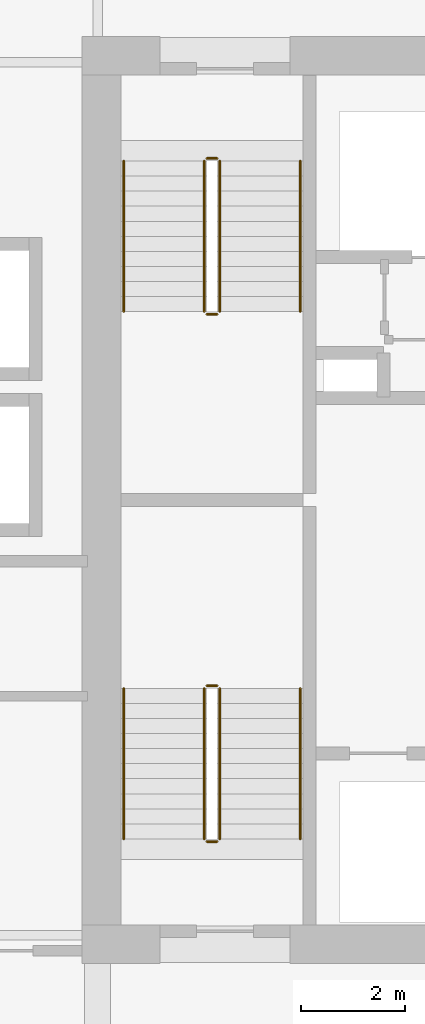
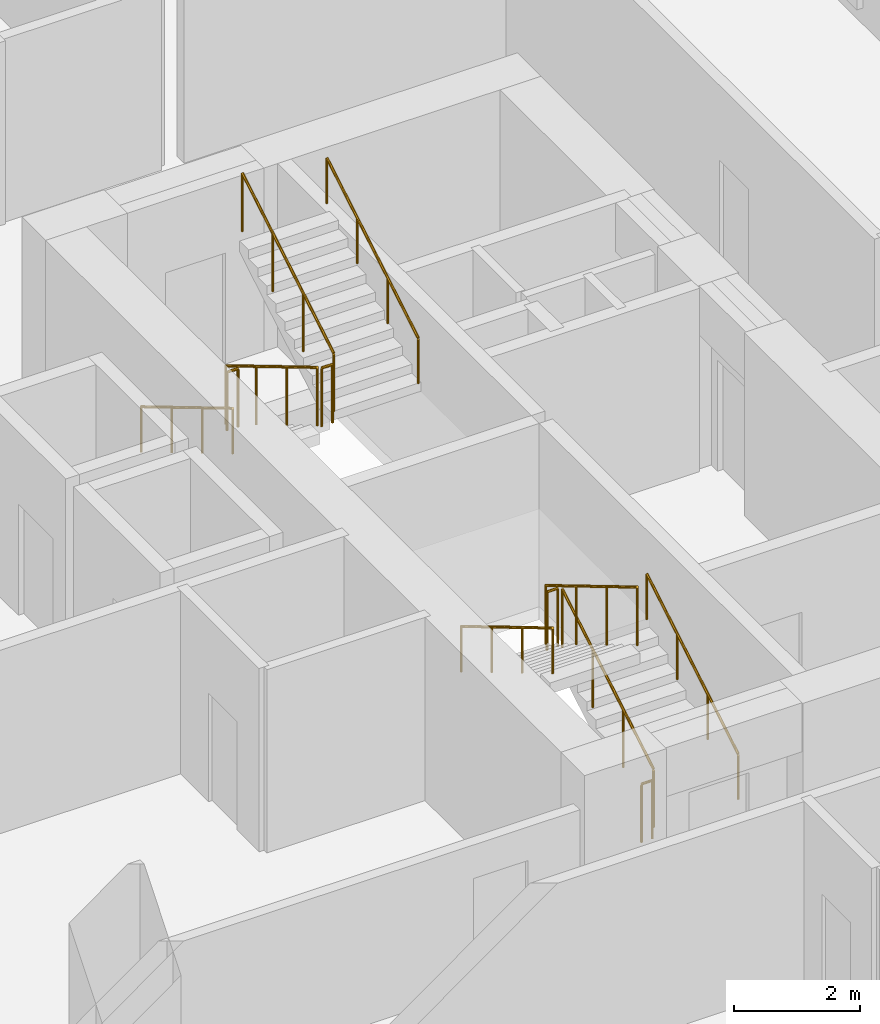
# One storey, part 22 of 23: 12 railings.
"""IFC4 building model written with IfcOpenShell, lengths in metres."""

from ifc_helpers import new_model, si_unit, direction, frame, origin, origin_2d, place, context, subcontext, project, spatial, circle, extrude, material, type_object, element, save


model = new_model("IFC4")

# Units and contexts
model_context = context("Model", 3, precision=1e-05, world=origin(), true_north=direction((0.0, 1.0)))
body_context = subcontext(model_context, "Body", "Model", "MODEL_VIEW")
ifc_project = project(units=[si_unit("LENGTHUNIT", "METRE"), si_unit("AREAUNIT", "SQUARE_METRE"), si_unit("VOLUMEUNIT", "CUBIC_METRE"), si_unit("PLANEANGLEUNIT", "RADIAN"), si_unit("MASSUNIT", "GRAM", prefix="KILO")], contexts=[model_context])

# Site, building, storey
site_placement = place(None, origin())
site = spatial("IfcSite", under=ifc_project, at=site_placement, CompositionType="ELEMENT")
building_placement = place(site_placement, origin())
building = spatial("IfcBuilding", under=site, at=building_placement, Name="Koriwani Terraces Tower", CompositionType="ELEMENT")
storey_placement = place(building_placement, frame((0.0, 0.0, 134.199951171875)))
storey = spatial("IfcBuildingStorey", under=building, at=storey_placement, Name="L32", CompositionType="ELEMENT", Elevation=134.199951171875)

# Railings
ifc_material = material(Name="Steel ASTM A572 Grade 50", Category="steel")
railing_type_1 = type_object("IfcRailingType", Name="GUARD_STAIR_WELL_1120", PredefinedType="GUARDRAIL", material=ifc_material)
railing_1_placement = place(storey_placement, frame((19.14990234375, 43.85009765625, 0.1728515625)))
element("IfcRailing", 1, at=railing_1_placement, inside=storey, type_object=railing_type_1, Name="L32 ST-W1 stair guard 1", PredefinedType="GUARDRAIL", context=body_context, shape_type="SweptSolid", body=[
    extrude(circle(Radius=0.02392578125, at=origin_2d()), frame((0.0, 0.0, 1.1259765625), z_axis=(0.0, 0.859141464434, 0.511738159696), x_axis=(-1.0, 0.0, 0.0)), (0.0, 0.0, 1.0), 3.375244140625),
    extrude(circle(Radius=0.02099609375, at=origin_2d()), origin(), (0.0, 0.0, 1.0), 1.101806640625),
    extrude(circle(Radius=0.02099609375, at=origin_2d()), frame((0.0, 0.966552734375, 0.57568359375)), (0.0, 0.0, 1.0), 1.101806640625),
    extrude(circle(Radius=0.02099609375, at=origin_2d()), frame((0.0, 1.933349609375, 1.151611328125)), (0.0, 0.0, 1.0), 1.101806640625),
    extrude(circle(Radius=0.02099609375, at=origin_2d()), frame((0.0, 2.89990234375, 1.727294921875)), (0.0, 0.0, 1.0), 1.101806640625),
])
railing_2_placement = place(storey_placement, frame((19.10009765625, 46.800048828125, 1.900146484375)))
element("IfcRailing", 2, at=railing_2_placement, inside=storey, type_object=railing_type_1, Name="L32 ST-W1 stair guard 2", PredefinedType="GUARDRAIL", context=body_context, shape_type="SweptSolid", body=[
    extrude(circle(Radius=0.02392578125, at=origin_2d()), frame((0.0, 0.0, 1.1259765625), z_axis=(-1.0, 0.0, 0.0), x_axis=(0.0, -1.0, 0.0)), (0.0, 0.0, 1.0), 0.2001953125),
    extrude(circle(Radius=0.02099609375, at=origin_2d()), origin(), (0.0, 0.0, 1.0), 1.101806640625),
    extrude(circle(Radius=0.02099609375, at=origin_2d()), frame((-0.2001953125, 0.0, 0.0)), (0.0, 0.0, 1.0), 1.101806640625),
])
railing_3_placement = place(storey_placement, frame((18.85009765625, 46.75, 2.07275390625)))
element("IfcRailing", 3, at=railing_3_placement, inside=storey, type_object=railing_type_1, Name="L32 ST-W1 stair guard 3", PredefinedType="GUARDRAIL", context=body_context, shape_type="SweptSolid", body=[
    extrude(circle(Radius=0.02392578125, at=origin_2d()), frame((0.0, 0.0, 1.1259765625), z_axis=(0.0, -0.859141464434, 0.511738159696), x_axis=(1.0, 0.0, 0.0)), (0.0, 0.0, 1.0), 3.375244140625),
    extrude(circle(Radius=0.02099609375, at=origin_2d()), origin(), (0.0, 0.0, 1.0), 1.101806640625),
    extrude(circle(Radius=0.02099609375, at=origin_2d()), frame((0.0, -0.966552734375, 0.57568359375)), (0.0, 0.0, 1.0), 1.101806640625),
    extrude(circle(Radius=0.02099609375, at=origin_2d()), frame((0.0, -1.933349609375, 1.151611328125)), (0.0, 0.0, 1.0), 1.101806640625),
    extrude(circle(Radius=0.02099609375, at=origin_2d()), frame((0.0, -2.89990234375, 1.727294921875)), (0.0, 0.0, 1.0), 1.101806640625),
])
railing_4_placement = place(storey_placement, frame((19.10009765625, 43.800048828125, 0.0)))
element("IfcRailing", 4, at=railing_4_placement, inside=storey, type_object=railing_type_1, Name="L32 ST-W1 stair guard 4", PredefinedType="GUARDRAIL", context=body_context, shape_type="SweptSolid", body=[
    extrude(circle(Radius=0.02392578125, at=origin_2d()), frame((0.0, 0.0, 1.1259765625), z_axis=(-1.0, 0.0, 0.0), x_axis=(0.0, -1.0, 0.0)), (0.0, 0.0, 1.0), 0.2001953125),
    extrude(circle(Radius=0.02099609375, at=origin_2d()), origin(), (0.0, 0.0, 1.0), 1.101806640625),
    extrude(circle(Radius=0.02099609375, at=origin_2d()), frame((-0.2001953125, 0.0, 0.0)), (0.0, 0.0, 1.0), 1.101806640625),
])
railing_5_placement = place(storey_placement, frame((18.85009765625, 56.89990234375, 0.1728515625)))
element("IfcRailing", 5, at=railing_5_placement, inside=storey, type_object=railing_type_1, Name="L32 ST-W2 stair guard 1", PredefinedType="GUARDRAIL", context=body_context, shape_type="SweptSolid", body=[
    extrude(circle(Radius=0.02392578125, at=origin_2d()), frame((0.0, 0.0, 1.1259765625), z_axis=(0.0, -0.859141464434, 0.511738159696), x_axis=(1.0, 0.0, 0.0)), (0.0, 0.0, 1.0), 3.375244140625),
    extrude(circle(Radius=0.02099609375, at=origin_2d()), origin(), (0.0, 0.0, 1.0), 1.101806640625),
    extrude(circle(Radius=0.02099609375, at=origin_2d()), frame((0.0, -0.966552734375, 0.57568359375)), (0.0, 0.0, 1.0), 1.101806640625),
    extrude(circle(Radius=0.02099609375, at=origin_2d()), frame((0.0, -1.933349609375, 1.151611328125)), (0.0, 0.0, 1.0), 1.101806640625),
    extrude(circle(Radius=0.02099609375, at=origin_2d()), frame((0.0, -2.89990234375, 1.727294921875)), (0.0, 0.0, 1.0), 1.101806640625),
])
railing_6_placement = place(storey_placement, frame((18.89990234375, 53.949951171875, 1.900146484375)))
element("IfcRailing", 6, at=railing_6_placement, inside=storey, type_object=railing_type_1, Name="L32 ST-W2 stair guard 2", PredefinedType="GUARDRAIL", context=body_context, shape_type="SweptSolid", body=[
    extrude(circle(Radius=0.02392578125, at=origin_2d()), frame((0.0, 0.0, 1.1259765625), z_axis=(1.0, 0.0, 0.0), x_axis=(0.0, 1.0, 0.0)), (0.0, 0.0, 1.0), 0.2001953125),
    extrude(circle(Radius=0.02099609375, at=origin_2d()), origin(), (0.0, 0.0, 1.0), 1.101806640625),
    extrude(circle(Radius=0.02099609375, at=origin_2d()), frame((0.2001953125, 0.0, 0.0)), (0.0, 0.0, 1.0), 1.101806640625),
])
railing_7_placement = place(storey_placement, frame((19.14990234375, 54.0, 2.07275390625)))
element("IfcRailing", 7, at=railing_7_placement, inside=storey, type_object=railing_type_1, Name="L32 ST-W2 stair guard 3", PredefinedType="GUARDRAIL", context=body_context, shape_type="SweptSolid", body=[
    extrude(circle(Radius=0.02392578125, at=origin_2d()), frame((0.0, 0.0, 1.1259765625), z_axis=(0.0, 0.859141464434, 0.511738159696), x_axis=(-1.0, 0.0, 0.0)), (0.0, 0.0, 1.0), 3.375244140625),
    extrude(circle(Radius=0.02099609375, at=origin_2d()), origin(), (0.0, 0.0, 1.0), 1.101806640625),
    extrude(circle(Radius=0.02099609375, at=origin_2d()), frame((0.0, 0.966552734375, 0.57568359375)), (0.0, 0.0, 1.0), 1.101806640625),
    extrude(circle(Radius=0.02099609375, at=origin_2d()), frame((0.0, 1.933349609375, 1.151611328125)), (0.0, 0.0, 1.0), 1.101806640625),
    extrude(circle(Radius=0.02099609375, at=origin_2d()), frame((0.0, 2.89990234375, 1.727294921875)), (0.0, 0.0, 1.0), 1.101806640625),
])
railing_8_placement = place(storey_placement, frame((18.89990234375, 56.949951171875, 0.0)))
element("IfcRailing", 8, at=railing_8_placement, inside=storey, type_object=railing_type_1, Name="L32 ST-W2 stair guard 4", PredefinedType="GUARDRAIL", context=body_context, shape_type="SweptSolid", body=[
    extrude(circle(Radius=0.02392578125, at=origin_2d()), frame((0.0, 0.0, 1.1259765625), z_axis=(1.0, 0.0, 0.0), x_axis=(0.0, 1.0, 0.0)), (0.0, 0.0, 1.0), 0.2001953125),
    extrude(circle(Radius=0.02099609375, at=origin_2d()), origin(), (0.0, 0.0, 1.0), 1.101806640625),
    extrude(circle(Radius=0.02099609375, at=origin_2d()), frame((0.2001953125, 0.0, 0.0)), (0.0, 0.0, 1.0), 1.101806640625),
])
railing_type_2 = type_object("IfcRailingType", Name="HANDRAIL_STAIR_920", PredefinedType="HANDRAIL", material=ifc_material)
railing_9_placement = place(storey_placement, frame((20.699951171875, 43.85009765625, 0.1728515625)))
element("IfcRailing", 9, at=railing_9_placement, inside=storey, type_object=railing_type_2, Name="L32 ST-W1 stair handrail 1", PredefinedType="HANDRAIL", context=body_context, shape_type="SweptSolid", body=[
    extrude(circle(Radius=0.02392578125, at=origin_2d()), frame((0.0, 0.0, 0.8759765625), z_axis=(0.0, 0.859141464434, 0.511738159696), x_axis=(-1.0, 0.0, 0.0)), (0.0, 0.0, 1.0), 3.375244140625),
    extrude(circle(Radius=0.02099609375, at=origin_2d()), origin(), (0.0, 0.0, 1.0), 0.851806640625),
    extrude(circle(Radius=0.02099609375, at=origin_2d()), frame((0.0, 0.966552734375, 0.57568359375)), (0.0, 0.0, 1.0), 0.851806640625),
    extrude(circle(Radius=0.02099609375, at=origin_2d()), frame((0.0, 1.933349609375, 1.151611328125)), (0.0, 0.0, 1.0), 0.851806640625),
    extrude(circle(Radius=0.02099609375, at=origin_2d()), frame((0.0, 2.89990234375, 1.727294921875)), (0.0, 0.0, 1.0), 0.851806640625),
])
for number, where, name in (
    (10, (17.300048828125, 46.75, 2.07275390625), "L32 ST-W1 stair handrail 2"),
    (11, (17.300048828125, 56.89990234375, 0.1728515625), "L32 ST-W2 stair handrail 1"),
):
    element("IfcRailing", number, at=place(storey_placement, frame(where)), inside=storey, type_object=railing_type_2, Name=name, PredefinedType="HANDRAIL", context=body_context, shape_type="SweptSolid", body=[
        extrude(circle(Radius=0.02392578125, at=origin_2d()), frame((0.0, 0.0, 0.8759765625), z_axis=(0.0, -0.859141464434, 0.511738159696), x_axis=(1.0, 0.0, 0.0)), (0.0, 0.0, 1.0), 3.375244140625),
        extrude(circle(Radius=0.02099609375, at=origin_2d()), origin(), (0.0, 0.0, 1.0), 0.851806640625),
        extrude(circle(Radius=0.02099609375, at=origin_2d()), frame((0.0, -0.966552734375, 0.57568359375)), (0.0, 0.0, 1.0), 0.851806640625),
        extrude(circle(Radius=0.02099609375, at=origin_2d()), frame((0.0, -1.933349609375, 1.151611328125)), (0.0, 0.0, 1.0), 0.851806640625),
        extrude(circle(Radius=0.02099609375, at=origin_2d()), frame((0.0, -2.89990234375, 1.727294921875)), (0.0, 0.0, 1.0), 0.851806640625),
    ])
railing_10_placement = place(storey_placement, frame((20.699951171875, 54.0, 2.07275390625)))
element("IfcRailing", 12, at=railing_10_placement, inside=storey, type_object=railing_type_2, Name="L32 ST-W2 stair handrail 2", PredefinedType="HANDRAIL", context=body_context, shape_type="SweptSolid", body=[
    extrude(circle(Radius=0.02392578125, at=origin_2d()), frame((0.0, 0.0, 0.8759765625), z_axis=(0.0, 0.859141464434, 0.511738159696), x_axis=(-1.0, 0.0, 0.0)), (0.0, 0.0, 1.0), 3.375244140625),
    extrude(circle(Radius=0.02099609375, at=origin_2d()), origin(), (0.0, 0.0, 1.0), 0.851806640625),
    extrude(circle(Radius=0.02099609375, at=origin_2d()), frame((0.0, 0.966552734375, 0.57568359375)), (0.0, 0.0, 1.0), 0.851806640625),
    extrude(circle(Radius=0.02099609375, at=origin_2d()), frame((0.0, 1.933349609375, 1.151611328125)), (0.0, 0.0, 1.0), 0.851806640625),
    extrude(circle(Radius=0.02099609375, at=origin_2d()), frame((0.0, 2.89990234375, 1.727294921875)), (0.0, 0.0, 1.0), 0.851806640625),
])

save(model, "model.ifc")
